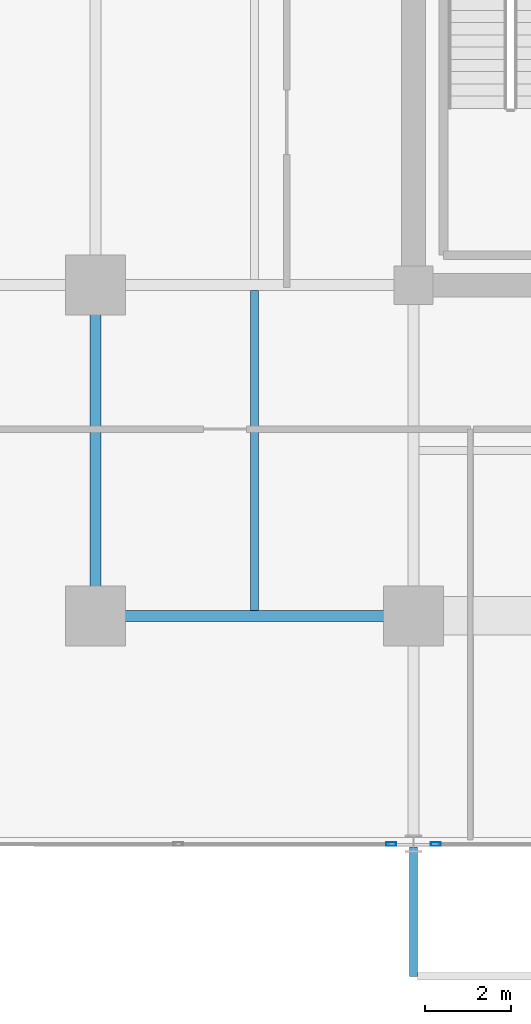
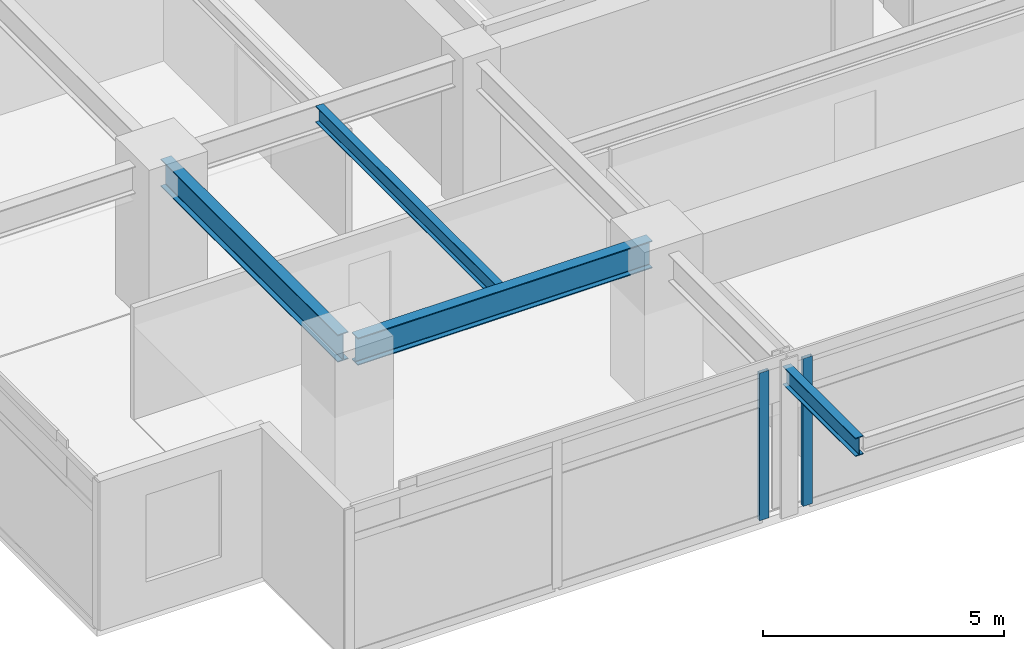
# One storey, part 3 of 21: 4 beams, 2 members, 2 elements without a shape of their own.
"""IFC4 building model written with IfcOpenShell, lengths in metres."""

from ifc_helpers import new_model, si_unit, direction, frame, origin, origin_2d, place, context, subcontext, project, spatial, hollow_rectangle, i_section, extrude, material, material_profile, profile_set, type_object, element, aggregate, save


model = new_model("IFC4")

# Units and contexts
model_context = context("Model", 3, precision=1e-05, world=origin(), true_north=direction((0.0, 1.0)))
body_context = subcontext(model_context, "Body", "Model", "MODEL_VIEW")
ifc_project = project(units=[si_unit("LENGTHUNIT", "METRE"), si_unit("AREAUNIT", "SQUARE_METRE"), si_unit("VOLUMEUNIT", "CUBIC_METRE"), si_unit("PLANEANGLEUNIT", "RADIAN"), si_unit("MASSUNIT", "GRAM", prefix="KILO")], contexts=[model_context])

# Site, building, storey
site_placement = place(None, origin())
site = spatial("IfcSite", under=ifc_project, at=site_placement, CompositionType="ELEMENT")
building_placement = place(site_placement, origin())
building = spatial("IfcBuilding", under=site, at=building_placement, Name="Kovane Verandah Tower", CompositionType="ELEMENT")
storey_placement = place(building_placement, frame((0.0, 0.0, 217.199951171875)))
storey = spatial("IfcBuildingStorey", under=building, at=storey_placement, Name="L50", CompositionType="ELEMENT", Elevation=217.199951171875)

# Beams
ifc_material_1 = material(Name="Steel S355", Category="steel")
ifc_material_profile_1 = material_profile(ifc_material_1, i_section(OverallWidth=0.255859375, OverallDepth=0.69287109375, WebThickness=0.014404296875, FlangeThickness=0.023681640625, FilletRadius=0.01513671875, at=origin_2d()), Name="UB686x254x170")
ifc_profile_set_1 = profile_set([ifc_material_profile_1], Name="Steel S355")
beam_type_1 = type_object("IfcBeamType", Name="BM-UB686x170", PredefinedType="BEAM", material=ifc_profile_set_1)
beam_1_placement = place(storey_placement, frame((21.780029296875, 10.800048828125, 3.428466796875), z_axis=(1.0, 0.0, 0.0), x_axis=(0.0, 1.0, 0.0)))
element("IfcBeam", 1, at=beam_1_placement, inside=storey, type_object=beam_type_1, Name="L50 Primary Tower Girder G-RS1", PredefinedType="BEAM", context=body_context, shape_type="SweptSolid", body=[
    extrude(i_section(OverallWidth=0.255859375, OverallDepth=0.69287109375, WebThickness=0.014404296875, FlangeThickness=0.023681640625, FilletRadius=0.01513671875, at=origin_2d()), origin(), (0.0, 0.0, 1.0), 7.0400390625),
])
beam_2_placement = place(storey_placement, frame((21.60009765625, 10.97998046875, 3.428466796875), z_axis=(0.0, 1.0, 0.0), x_axis=(-1.0, 0.0, 0.0)))
element("IfcBeam", 2, at=beam_2_placement, inside=storey, type_object=beam_type_1, Name="L50 Primary Tower Girder G-RW1", PredefinedType="BEAM", context=body_context, shape_type="SweptSolid", body=[
    extrude(i_section(OverallWidth=0.255859375, OverallDepth=0.69287109375, WebThickness=0.014404296875, FlangeThickness=0.023681640625, FilletRadius=0.01513671875, at=origin_2d()), origin(), (0.0, 0.0, 1.0), 7.340087890625),
])

# Curtain wall, member
ifc_material_2 = material(Name="Champagne Anodised Aluminium Frame with Low-E Clear Laminated Glass", Category="aluminium")
curtain_wall_type = type_object("IfcCurtainWallType", Name="CW-SYS-03-MID", PredefinedType="NOTDEFINED", material=ifc_material_2)
curtain_wall_1_placement = place(storey_placement, origin())
curtain_wall_1 = element("IfcCurtainWall", 3, at=curtain_wall_1_placement, inside=storey, type_object=curtain_wall_type, Name="L50 S Unitised Curtain Wall-1", PredefinedType="NOTDEFINED")
ifc_material_3 = material(Name="Champagne Anodised Aluminium 6063-T6", Category="aluminium")
ifc_material_profile_2 = material_profile(ifc_material_3, hollow_rectangle(XDim=0.0849609375, YDim=0.22998046875, WallThickness=0.00390625, at=origin_2d()), Name="AL85x230x4")
ifc_profile_set_2 = profile_set([ifc_material_profile_2], Name="Champagne Anodised Aluminium 6063-T6")
member_type = type_object("IfcMemberType", Name="CW-MUL-85x230", PredefinedType="MULLION", material=ifc_profile_set_2)
member_1_placement = place(storey_placement, frame((28.47998046875, 5.485595703125, 0.02001953125), z_axis=(0.0, 0.0, 1.0), x_axis=(0.0, -1.0, 0.0)))
member_1 = element("IfcMember", 4, at=member_1_placement, type_object=member_type, Name="L50 S Unitised Curtain Wall-1 Mullion 3", PredefinedType="MULLION", context=body_context, shape_type="SweptSolid", body=[
    extrude(hollow_rectangle(XDim=0.0849609375, YDim=0.22998046875, WallThickness=0.00390625, at=origin_2d()), origin(), (0.0, 0.0, 1.0), 3.735107421875),
])
aggregate(curtain_wall_1, [member_1])

curtain_wall_2_placement = place(storey_placement, origin())
curtain_wall_2 = element("IfcCurtainWall", 5, at=curtain_wall_2_placement, inside=storey, type_object=curtain_wall_type, Name="L50 S Unitised Curtain Wall-2", PredefinedType="NOTDEFINED")
member_2_placement = place(storey_placement, frame((29.52001953125, 5.485595703125, 0.02001953125), z_axis=(0.0, 0.0, 1.0), x_axis=(0.0, -1.0, 0.0)))
member_2 = element("IfcMember", 6, at=member_2_placement, type_object=member_type, Name="L50 S Unitised Curtain Wall-2 Mullion 1", PredefinedType="MULLION", context=body_context, shape_type="SweptSolid", body=[
    extrude(hollow_rectangle(XDim=0.0849609375, YDim=0.22998046875, WallThickness=0.00390625, at=origin_2d()), origin(), (0.0, 0.0, 1.0), 3.735107421875),
])
aggregate(curtain_wall_2, [member_2])

# Beams
ifc_material_profile_3 = material_profile(ifc_material_1, i_section(OverallWidth=0.179443359375, OverallDepth=0.412841796875, WebThickness=0.009521484375, FlangeThickness=0.01611328125, FilletRadius=0.01025390625, at=origin_2d()), Name="UB406x178x74")
ifc_profile_set_3 = profile_set([ifc_material_profile_3], Name="Steel S355")
beam_type_2 = type_object("IfcBeamType", Name="JST-UB406x74", PredefinedType="JOIST", material=ifc_profile_set_3)
beam_3_placement = place(storey_placement, frame((25.300048828125, 10.92578125, 3.568603515625), z_axis=(0.0, 1.0, 0.0), x_axis=(-1.0, 0.0, 0.0)))
element("IfcBeam", 7, at=beam_3_placement, inside=storey, type_object=beam_type_2, Name="L50 Secondary Composite Joist J-SW1", PredefinedType="JOIST", context=body_context, shape_type="SweptSolid", body=[
    extrude(i_section(OverallWidth=0.179443359375, OverallDepth=0.412841796875, WebThickness=0.009521484375, FlangeThickness=0.01611328125, FilletRadius=0.01025390625, at=origin_2d()), origin(), (0.0, 0.0, 1.0), 7.4482421875),
])
ifc_material_profile_4 = material_profile(ifc_material_1, i_section(OverallWidth=0.19287109375, OverallDepth=0.46728515625, WebThickness=0.011474609375, FlangeThickness=0.01953125, FilletRadius=0.01025390625, at=origin_2d()), Name="UB457x191x98")
ifc_profile_set_4 = profile_set([ifc_material_profile_4], Name="Steel S355")
beam_type_3 = type_object("IfcBeamType", Name="JST-UB457x98", PredefinedType="JOIST", material=ifc_profile_set_4)
beam_4_placement = place(storey_placement, frame((29.0, 5.419921875, 3.5263671875), z_axis=(0.0, -1.0, 0.0), x_axis=(1.0, 0.0, 0.0)))
element("IfcBeam", 8, at=beam_4_placement, inside=storey, type_object=beam_type_3, Name="L50 South Planter Girder 1", PredefinedType="JOIST", context=body_context, shape_type="SweptSolid", body=[
    extrude(i_section(OverallWidth=0.19287109375, OverallDepth=0.46728515625, WebThickness=0.011474609375, FlangeThickness=0.01953125, FilletRadius=0.01025390625, at=origin_2d()), origin(), (0.0, 0.0, 1.0), 3.01025390625),
])

save(model, "model.ifc")
